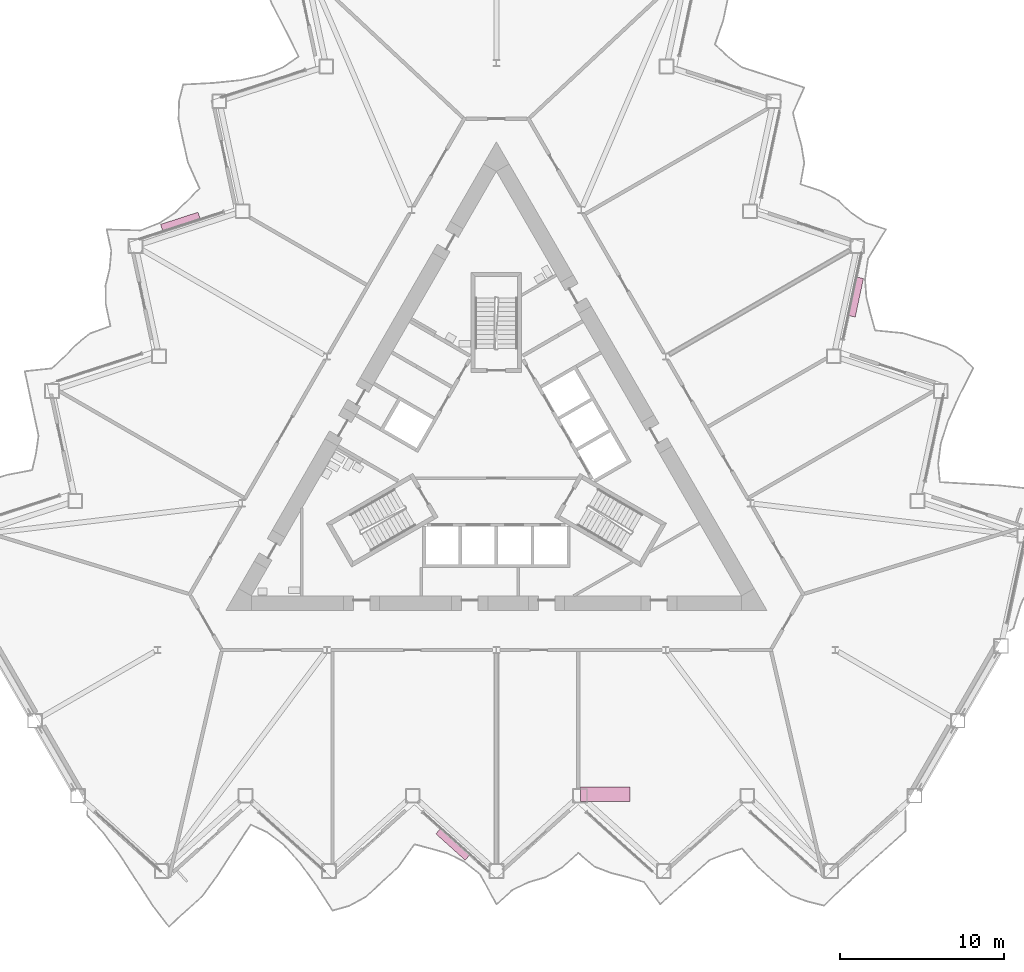
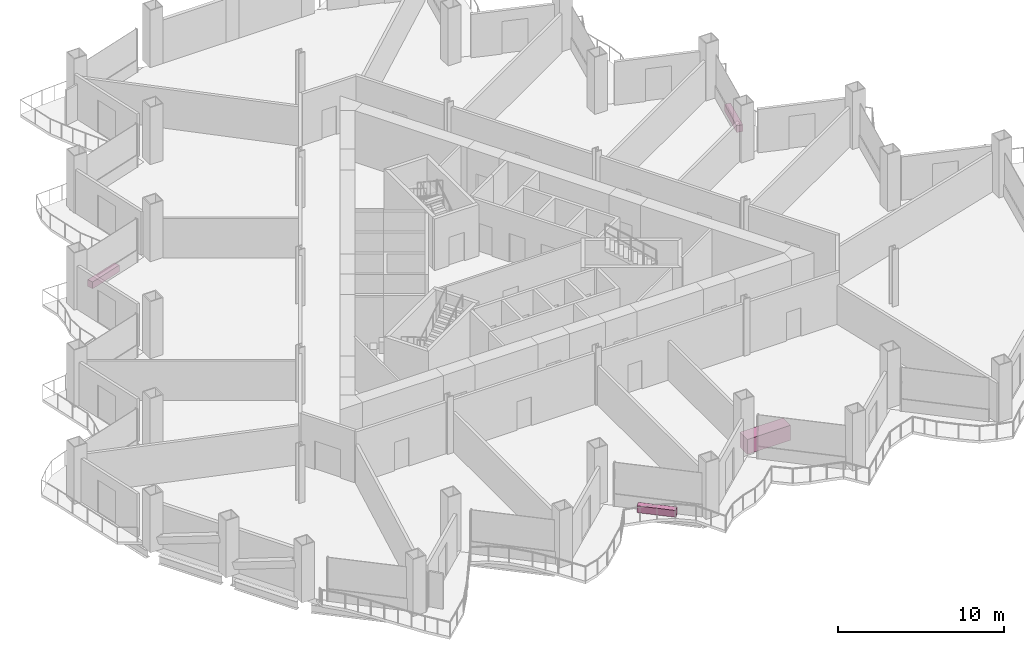
# One storey, part 21 of 21: 4 furniture elements.
"""IFC4 building model written with IfcOpenShell, lengths in metres."""

from ifc_helpers import new_model, si_unit, direction, frame, origin, origin_2d, place, context, subcontext, project, spatial, rectangle, extrude, material, type_object, element, save


model = new_model("IFC4")

# Units and contexts
model_context = context("Model", 3, precision=1e-05, world=origin(), true_north=direction((0.0, 1.0)))
body_context = subcontext(model_context, "Body", "Model", "MODEL_VIEW")
ifc_project = project(units=[si_unit("LENGTHUNIT", "METRE"), si_unit("AREAUNIT", "SQUARE_METRE"), si_unit("VOLUMEUNIT", "CUBIC_METRE"), si_unit("PLANEANGLEUNIT", "RADIAN"), si_unit("MASSUNIT", "GRAM", prefix="KILO")], contexts=[model_context])

# Site, building, storey
site_placement = place(None, origin())
site = spatial("IfcSite", under=ifc_project, at=site_placement, CompositionType="ELEMENT")
building_placement = place(site_placement, origin())
building = spatial("IfcBuilding", under=site, at=building_placement, Name="Cormorant Prow Tower", CompositionType="ELEMENT")
storey_placement = place(building_placement, frame((0.0, 0.0, 108.0)))
storey = spatial("IfcBuildingStorey", under=building, at=storey_placement, Name="L22", CompositionType="ELEMENT", Elevation=108.0)

# Furniture
ifc_material_1 = material(Name="Terracotta", Category="masonry")
furniture_type_1 = type_object("IfcFurnitureType", Name="Balcony planter 2400x400x500", AssemblyPlace="NOTDEFINED", PredefinedType="USERDEFINED", material=ifc_material_1)
for number, where, z_axis, x_axis, name in (
    (1, (-2.66357421875, -23.788330078125, 0.0), (0.0, 0.0, 1.0), (0.743144785735, -0.669130650497, 0.0), "Balcony planter S04"),
    (2, (21.93310546875, 9.58740234375, 0.0), (0.0, 0.0, 1.0), (0.207911769861, 0.978147583933, 0.0), "Balcony planter ENE04"),
    (3, (-19.26953125, 14.200927734375, 0.0), (0.0, 0.0, 1.0), (-0.951056535959, -0.309016933855, 0.0), "Balcony planter WNW04"),
):
    element("IfcFurniture", number, at=place(storey_placement, frame(where, z_axis=z_axis, x_axis=x_axis)), inside=storey, type_object=furniture_type_1, Name=name, ObjectType="PLANTER", PredefinedType="USERDEFINED", context=body_context, shape_type="SweptSolid", body=[
        extrude(rectangle(XDim=2.39990234375, YDim=0.39990234375, at=origin_2d()), origin(), (0.0, 0.0, 1.0), 0.5),
    ])
ifc_material_2 = material(Name="Timber joinery", Category="wood")
furniture_type_2 = type_object("IfcFurnitureType", Name="Reception desk 3000x900", AssemblyPlace="NOTDEFINED", PredefinedType="DESK", material=ifc_material_2)
furniture_placement = place(storey_placement, frame((6.6376953125, -20.722412109375, 0.0), z_axis=(0.0, 0.0, 1.0), x_axis=(1.0, 0.0, 0.0)))
element("IfcFurniture", 4, at=furniture_placement, inside=storey, type_object=furniture_type_2, Name="Reception desk", PredefinedType="DESK", context=body_context, shape_type="SweptSolid", body=[
    extrude(rectangle(XDim=3.0, YDim=0.89990234375, at=origin_2d()), origin(), (0.0, 0.0, 1.0), 1.10009765625),
])

save(model, "model.ifc")
